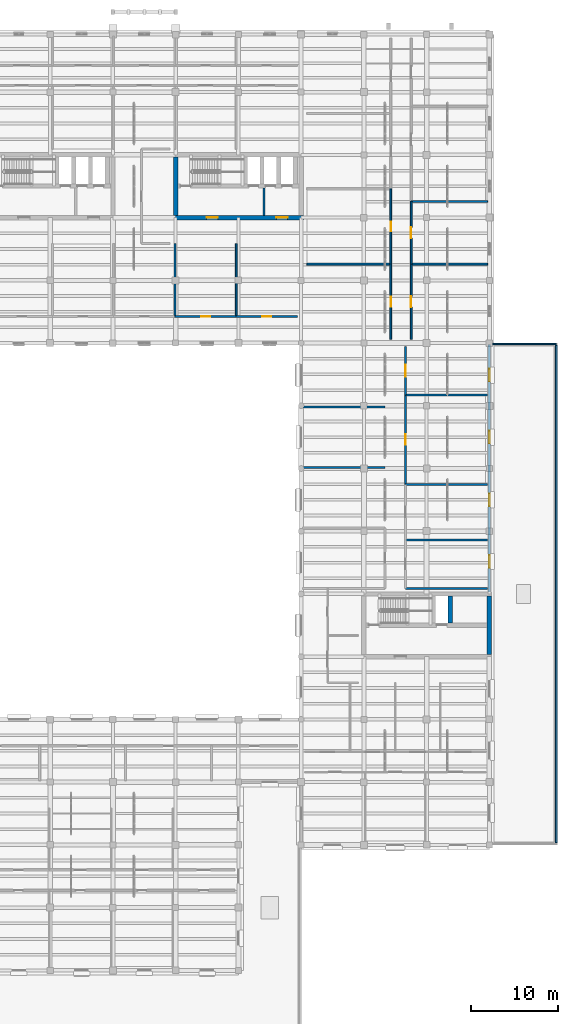
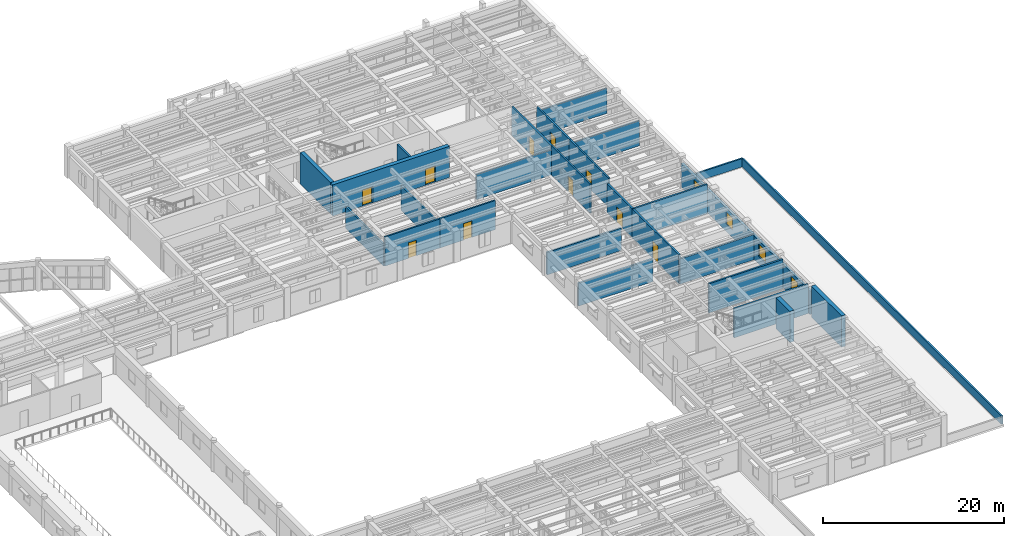
# One storey, part 61 of 76: 27 walls, 10 doors, 4 windows, 14 openings.
"""IFC4 building model written with IfcOpenShell, lengths in metres."""

from ifc_helpers import new_model, si_unit, direction, frame, frame_2d, origin, place, context, subcontext, project, spatial, rectangle, extrude, material, layer, layer_set, type_object, element, fill, save


model = new_model("IFC4")

# Units and contexts
model_context = context("Model", 3, precision=1e-05, world=origin(), true_north=direction((0.0, 1.0)))
body_context = subcontext(model_context, "Body", "Model", "MODEL_VIEW")
ifc_project = project(units=[si_unit("LENGTHUNIT", "METRE"), si_unit("AREAUNIT", "SQUARE_METRE"), si_unit("VOLUMEUNIT", "CUBIC_METRE"), si_unit("PLANEANGLEUNIT", "RADIAN"), si_unit("MASSUNIT", "GRAM", prefix="KILO")], contexts=[model_context])

# Site, building, storey
site_placement = place(None, origin())
site = spatial("IfcSite", under=ifc_project, at=site_placement, CompositionType="ELEMENT")
building_placement = place(site_placement, origin())
building = spatial("IfcBuilding", under=site, at=building_placement, Name="Mithqara Police Headquarters", CompositionType="ELEMENT")
storey_placement = place(building_placement, frame((0.0, 0.0, 5.39990234375)))
storey = spatial("IfcBuildingStorey", under=building, at=storey_placement, Name="L01", CompositionType="ELEMENT", Elevation=5.39990234375)

# Wall
ifc_material_1 = material(Name="Concrete C40/50", Category="concrete")
ifc_layer_1 = layer(ifc_material_1, 0.239990234375, Name="Concrete C40/50")
ifc_layer_set_1 = layer_set([ifc_layer_1], Name="Concrete C40/50")
wall_type_1 = type_object("IfcWallType", Name="CORE LOBBY WALL 240", PredefinedType="SOLIDWALL", material=ifc_layer_set_1)
wall_1_placement = place(storey_placement, frame((140.330078125, 93.25, 0.0), z_axis=(0.0, 0.0, 1.0), x_axis=(0.0, 1.0, 0.0)))
element("IfcWall", 1, at=wall_1_placement, inside=storey, type_object=wall_type_1, Name="Core C2 Command East Firefighting Lobby Separation Wall L01", PredefinedType="SOLIDWALL", context=body_context, shape_type="SweptSolid", body=[
    extrude(rectangle(XDim=3.1201171875, YDim=0.239990234375, at=frame_2d((1.56005859375, 0.0))), origin(), (0.0, 0.0, 1.0), 3.89013671875),
])

# Wall, openings, windows
ifc_material_2 = material(Name="Ochre masonry cavity wall, 35 MPa", Category="masonry")
ifc_layer_2 = layer(ifc_material_2, 0.300048828125, Name="Ochre masonry cavity wall, 35 MPa")
ifc_layer_set_2 = layer_set([ifc_layer_2], Name="Ochre masonry cavity wall, 35 MPa")
wall_type_2 = type_object("IfcWallType", Name="EXT WALL OCHRE BRICK300", PredefinedType="SOLIDWALL", material=ifc_layer_set_2)
wall_2_placement = place(storey_placement, frame((166.199951171875, 50.050048828125, 0.0), z_axis=(0.0, 0.0, 1.0), x_axis=(0.0, 1.0, 0.0)))
wall_2 = element("IfcWall", 2, at=wall_2_placement, inside=storey, type_object=wall_type_2, Name="L01 Exterior Wall 7.2", PredefinedType="SOLIDWALL", context=body_context, shape_type="SweptSolid", body=[
    extrude(rectangle(XDim=28.39990234375, YDim=0.300048828125, at=frame_2d((14.199951171875, 0.0))), origin(), (0.0, 0.0, 1.0), 3.170166015625),
])
opening_1_placement = place(wall_2_placement, frame((2.75, 0.0, 1.0)))
opening_1 = element("IfcOpeningElement", 3, at=opening_1_placement, cuts=wall_2, Name="Opening W-22", PredefinedType="OPENING", context=body_context, shape_type="SweptSolid", body=[
    extrude(rectangle(XDim=1.449951171875, YDim=1.64990234375, at=frame_2d((0.72509765625, 0.824951171875))), frame((0.0, 0.16015625, 0.0), z_axis=(0.0, -1.0, 0.0), x_axis=(1.0, 0.0, 0.0)), (0.0, 0.0, 1.0), 0.320068359375),
])
opening_2_placement = place(wall_2_placement, frame((9.824951171875, 0.0, 1.0)))
opening_2 = element("IfcOpeningElement", 4, at=opening_2_placement, cuts=wall_2, Name="Opening W-22", PredefinedType="OPENING", context=body_context, shape_type="SweptSolid", body=[
    extrude(rectangle(XDim=1.449951171875, YDim=1.64990234375, at=frame_2d((0.72509765625, 0.824951171875))), frame((0.0, 0.16015625, 0.0), z_axis=(0.0, -1.0, 0.0), x_axis=(1.0, 0.0, 0.0)), (0.0, 0.0, 1.0), 0.320068359375),
])
opening_3_placement = place(wall_2_placement, frame((17.02490234375, 0.0, 1.0)))
opening_3 = element("IfcOpeningElement", 5, at=opening_3_placement, cuts=wall_2, Name="Opening W-22", PredefinedType="OPENING", context=body_context, shape_type="SweptSolid", body=[
    extrude(rectangle(XDim=1.449951171875, YDim=1.64990234375, at=frame_2d((0.72509765625, 0.824951171875))), frame((0.0, 0.16015625, 0.0), z_axis=(0.0, -1.0, 0.0), x_axis=(1.0, 0.0, 0.0)), (0.0, 0.0, 1.0), 0.320068359375),
])
opening_4_placement = place(wall_2_placement, frame((24.14990234375, 0.0, 1.0)))
opening_4 = element("IfcOpeningElement", 6, at=opening_4_placement, cuts=wall_2, Name="Opening W-22", PredefinedType="OPENING", context=body_context, shape_type="SweptSolid", body=[
    extrude(rectangle(XDim=1.449951171875, YDim=1.64990234375, at=frame_2d((0.72509765625, 0.824951171875))), frame((0.0, 0.16015625, 0.0), z_axis=(0.0, -1.0, 0.0), x_axis=(1.0, 0.0, 0.0)), (0.0, 0.0, 1.0), 0.320068359375),
])
ifc_material_3 = material(Name="Spectrally selective double low-e glass", Category="glass")
window_type = type_object("IfcWindowType", Name="WINDOW 1450X1650", PartitioningType="SINGLE_PANEL", PredefinedType="WINDOW", material=ifc_material_3)
window_1_placement = place(opening_1_placement, origin())
window_1 = element("IfcWindow", 7, at=window_1_placement, inside=storey, type_object=window_type, Name="L01 Deep-Set Punched Window 7.1", OverallHeight=1.64990234375, OverallWidth=1.449951171875, PartitioningType="SINGLE_PANEL", PredefinedType="WINDOW", context=body_context, shape_type="SweptSolid", body=[
    extrude(rectangle(XDim=1.449951171875, YDim=1.64990234375, at=frame_2d((0.72509765625, 0.824951171875))), frame((0.0, 0.030029296875, 0.0), z_axis=(0.0, -1.0, 0.0), x_axis=(1.0, 0.0, 0.0)), (0.0, 0.0, 1.0), 0.06005859375),
])
fill(opening_1, window_1)
window_2_placement = place(opening_2_placement, origin())
window_2 = element("IfcWindow", 8, at=window_2_placement, inside=storey, type_object=window_type, Name="L01 Deep-Set Punched Window 7.2", OverallHeight=1.64990234375, OverallWidth=1.449951171875, PartitioningType="SINGLE_PANEL", PredefinedType="WINDOW", context=body_context, shape_type="SweptSolid", body=[
    extrude(rectangle(XDim=1.449951171875, YDim=1.64990234375, at=frame_2d((0.72509765625, 0.824951171875))), frame((0.0, 0.030029296875, 0.0), z_axis=(0.0, -1.0, 0.0), x_axis=(1.0, 0.0, 0.0)), (0.0, 0.0, 1.0), 0.06005859375),
])
fill(opening_2, window_2)
window_3_placement = place(opening_3_placement, origin())
window_3 = element("IfcWindow", 9, at=window_3_placement, inside=storey, type_object=window_type, Name="L01 Deep-Set Punched Window 7.3", OverallHeight=1.64990234375, OverallWidth=1.449951171875, PartitioningType="SINGLE_PANEL", PredefinedType="WINDOW", context=body_context, shape_type="SweptSolid", body=[
    extrude(rectangle(XDim=1.449951171875, YDim=1.64990234375, at=frame_2d((0.72509765625, 0.824951171875))), frame((0.0, 0.030029296875, 0.0), z_axis=(0.0, -1.0, 0.0), x_axis=(1.0, 0.0, 0.0)), (0.0, 0.0, 1.0), 0.06005859375),
])
fill(opening_3, window_3)
window_4_placement = place(opening_4_placement, origin())
window_4 = element("IfcWindow", 10, at=window_4_placement, inside=storey, type_object=window_type, Name="L01 Deep-Set Punched Window 7.4", OverallHeight=1.64990234375, OverallWidth=1.449951171875, PartitioningType="SINGLE_PANEL", PredefinedType="WINDOW", context=body_context, shape_type="SweptSolid", body=[
    extrude(rectangle(XDim=1.449951171875, YDim=1.64990234375, at=frame_2d((0.72509765625, 0.824951171875))), frame((0.0, 0.030029296875, 0.0), z_axis=(0.0, -1.0, 0.0), x_axis=(1.0, 0.0, 0.0)), (0.0, 0.0, 1.0), 0.06005859375),
])
fill(opening_4, window_4)

# Walls
ifc_material_4 = material(Name="Limestone ashlar masonry, 45 MPa", Category="masonry")
ifc_layer_3 = layer(ifc_material_4, 0.199951171875, Name="Limestone ashlar masonry, 45 MPa")
ifc_layer_set_3 = layer_set([ifc_layer_3], Name="Limestone ashlar masonry, 45 MPa")
wall_type_3 = type_object("IfcWallType", Name="PARAPET WALL 200", PredefinedType="PARAPET", material=ifc_layer_set_3)
wall_3_placement = place(storey_placement, frame((166.419921875, 78.489990234375, 0.0), z_axis=(0.0, 0.0, 1.0), x_axis=(1.0, 0.0, 0.0)))
element("IfcWall", 11, at=wall_3_placement, inside=storey, type_object=wall_type_3, Name="L01 Limestone Roof Parapet ROOF-L00-02-4", PredefinedType="PARAPET", context=body_context, shape_type="SweptSolid", body=[
    extrude(rectangle(XDim=7.469970703125, YDim=0.199951171875, at=frame_2d((3.73486328125, 0.0))), origin(), (0.0, 0.0, 1.0), 1.1201171875),
])
ifc_layer_4 = layer(ifc_material_4, 0.219970703125, Name="Limestone ashlar masonry, 45 MPa")
ifc_layer_set_4 = layer_set([ifc_layer_4], Name="Limestone ashlar masonry, 45 MPa")
wall_type_4 = type_object("IfcWallType", Name="PARAPET WALL 220", PredefinedType="PARAPET", material=ifc_layer_set_4)
wall_4_placement = place(storey_placement, frame((173.889892578125, 78.3701171875, 0.0), z_axis=(0.0, 0.0, 1.0), x_axis=(0.0, -1.0, 0.0)))
element("IfcWall", 12, at=wall_4_placement, inside=storey, type_object=wall_type_4, Name="L01 Limestone Roof Parapet ROOF-L00-02-1", PredefinedType="PARAPET", context=body_context, shape_type="SweptSolid", body=[
    extrude(rectangle(XDim=57.14013671875, YDim=0.219970703125, at=frame_2d((28.570068359375, 0.0))), origin(), (0.0, 0.0, 1.0), 1.1201171875),
])
ifc_layer_5 = layer(ifc_material_1, 0.2099609375, Name="Concrete C40/50")
ifc_layer_set_5 = layer_set([ifc_layer_5], Name="Concrete C40/50")
wall_type_5 = type_object("IfcWallType", Name="PART WALL 210", PredefinedType="PARTITIONING", material=ifc_layer_set_5)
wall_5_placement = place(storey_placement, frame((130.115966796875, 81.639892578125, 0.0), z_axis=(0.0, 0.0, 1.0), x_axis=(0.0, 1.0, 0.0)))
element("IfcWall", 13, at=wall_5_placement, inside=storey, type_object=wall_type_5, Name="L01 Room Partition Briefing Room", PredefinedType="PARTITIONING", context=body_context, shape_type="SweptSolid", body=[
    extrude(rectangle(XDim=8.360107421875, YDim=0.2099609375, at=frame_2d((4.18017578125, 0.0))), origin(), (0.0, 0.0, 1.0), 2.920166015625),
])

# Wall, opening, door
wall_6_placement = place(storey_placement, frame((130.115966796875, 81.639892578125, 0.0), z_axis=(0.0, 0.0, 1.0), x_axis=(1.0, 0.0, 0.0)))
wall_6 = element("IfcWall", 14, at=wall_6_placement, inside=storey, type_object=wall_type_5, Name="L01 Corridor Wall Duty Sergeant Office", PredefinedType="PARTITIONING", context=body_context, shape_type="SweptSolid", body=[
    extrude(rectangle(XDim=7.031982421875, YDim=0.2099609375, at=frame_2d((3.51611328125, 0.0))), origin(), (0.0, 0.0, 1.0), 3.920166015625),
])
opening_5_placement = place(wall_6_placement, frame((2.99609375, 0.0, 0.0)))
opening_5 = element("IfcOpeningElement", 15, at=opening_5_placement, cuts=wall_6, Name="Opening D-07", PredefinedType="OPENING", context=body_context, shape_type="SweptSolid", body=[
    extrude(rectangle(XDim=1.0400390625, YDim=2.10009765625, at=frame_2d((0.52001953125, 1.050048828125))), frame((0.0, 0.114990234375, 0.0), z_axis=(0.0, -1.0, 0.0), x_axis=(1.0, 0.0, 0.0)), (0.0, 0.0, 1.0), 0.22998046875),
])
ifc_material_5 = material(Name="Acoustic solid-core timber leaf", Category="wood")
door_type_1 = type_object("IfcDoorType", Name="INT DOOR 1040X2100", OperationType="NOTDEFINED", PredefinedType="DOOR", material=ifc_material_5)
door_1_placement = place(opening_5_placement, origin())
door_1 = element("IfcDoor", 16, at=door_1_placement, inside=storey, type_object=door_type_1, Name="Duty Sergeant Office Entry Door", OperationType="SINGLE_SWING_RIGHT", OverallHeight=2.10009765625, OverallWidth=1.0400390625, PredefinedType="DOOR", context=body_context, shape_type="SweptSolid", body=[
    extrude(rectangle(XDim=1.0400390625, YDim=2.10009765625, at=frame_2d((0.52001953125, 1.050048828125))), frame((0.0, 0.02490234375, 0.0), z_axis=(0.0, -1.0, 0.0), x_axis=(1.0, 0.0, 0.0)), (0.0, 0.0, 1.0), 0.050048828125),
])
fill(opening_5, door_1)

# Wall
wall_7_placement = place(storey_placement, frame((137.14794921875, 81.639892578125, 0.0), z_axis=(0.0, 0.0, 1.0), x_axis=(0.0, 1.0, 0.0)))
element("IfcWall", 17, at=wall_7_placement, inside=storey, type_object=wall_type_5, Name="L01 Room Partition Duty Sergeant Office", PredefinedType="PARTITIONING", context=body_context, shape_type="SweptSolid", body=[
    extrude(rectangle(XDim=8.360107421875, YDim=0.2099609375, at=frame_2d((4.18017578125, 0.0))), origin(), (0.0, 0.0, 1.0), 3.320068359375),
])

# Wall, opening, door
wall_8_placement = place(storey_placement, frame((137.14794921875, 81.639892578125, 0.0), z_axis=(0.0, 0.0, 1.0), x_axis=(1.0, 0.0, 0.0)))
wall_8 = element("IfcWall", 18, at=wall_8_placement, inside=storey, type_object=wall_type_5, Name="L01 Corridor Wall Traffic Patrol Operations Room", PredefinedType="PARTITIONING", context=body_context, shape_type="SweptSolid", body=[
    extrude(rectangle(XDim=7.031982421875, YDim=0.2099609375, at=frame_2d((3.51611328125, 0.0))), origin(), (0.0, 0.0, 1.0), 3.920166015625),
])
opening_6_placement = place(wall_8_placement, frame((2.99609375, 0.0, 0.0)))
opening_6 = element("IfcOpeningElement", 19, at=opening_6_placement, cuts=wall_8, Name="Opening D-08", PredefinedType="OPENING", context=body_context, shape_type="SweptSolid", body=[
    extrude(rectangle(XDim=1.0400390625, YDim=2.219970703125, at=frame_2d((0.52001953125, 1.10986328125))), frame((0.0, 0.114990234375, 0.0), z_axis=(0.0, -1.0, 0.0), x_axis=(1.0, 0.0, 0.0)), (0.0, 0.0, 1.0), 0.22998046875),
])
door_type_2 = type_object("IfcDoorType", Name="INT DOOR 1040X2220", OperationType="NOTDEFINED", PredefinedType="DOOR", material=ifc_material_5)
door_2_placement = place(opening_6_placement, origin())
door_2 = element("IfcDoor", 20, at=door_2_placement, inside=storey, type_object=door_type_2, Name="Traffic Patrol Operations Room Entry Door", OperationType="SINGLE_SWING_LEFT", OverallHeight=2.219970703125, OverallWidth=1.0400390625, PredefinedType="DOOR", context=body_context, shape_type="SweptSolid", body=[
    extrude(rectangle(XDim=1.0400390625, YDim=2.219970703125, at=frame_2d((0.52001953125, 1.10986328125))), frame((0.0, 0.02490234375, 0.0), z_axis=(0.0, -1.0, 0.0), x_axis=(1.0, 0.0, 0.0)), (0.0, 0.0, 1.0), 0.050048828125),
])
fill(opening_6, door_2)

wall_9_placement = place(storey_placement, frame((154.89501953125, 79.02001953125, 0.0), z_axis=(0.0, 0.0, 1.0), x_axis=(0.0, 1.0, 0.0)))
wall_9 = element("IfcWall", 21, at=wall_9_placement, inside=storey, type_object=wall_type_5, Name="L01 Corridor Wall Sector Radio Coordination Room", PredefinedType="PARTITIONING", context=body_context, shape_type="SweptSolid", body=[
    extrude(rectangle(XDim=8.639892578125, YDim=0.2099609375, at=frame_2d((4.31982421875, 0.0))), origin(), (0.0, 0.0, 1.0), 3.920166015625),
])
opening_7_placement = place(wall_9_placement, frame((3.77001953125, 0.0, 0.0)))
opening_7 = element("IfcOpeningElement", 22, at=opening_7_placement, cuts=wall_9, Name="Opening D-10", PredefinedType="OPENING", context=body_context, shape_type="SweptSolid", body=[
    extrude(rectangle(XDim=1.10009765625, YDim=2.10009765625, at=frame_2d((0.550048828125, 1.050048828125))), frame((0.0, 0.114990234375, 0.0), z_axis=(0.0, -1.0, 0.0), x_axis=(1.0, 0.0, 0.0)), (0.0, 0.0, 1.0), 0.22998046875),
])
door_type_3 = type_object("IfcDoorType", Name="INT DOOR 1100X2100", OperationType="NOTDEFINED", PredefinedType="DOOR", material=ifc_material_5)
door_3_placement = place(opening_7_placement, frame((1.10009765625, 0.0, 0.0), z_axis=(0.0, 0.0, 1.0), x_axis=(-1.0, 0.0, 0.0)))
door_3 = element("IfcDoor", 23, at=door_3_placement, inside=storey, type_object=door_type_3, Name="Sector Radio Coordination Room Entry Door", OperationType="SINGLE_SWING_LEFT", OverallHeight=2.10009765625, OverallWidth=1.10009765625, PredefinedType="DOOR", context=body_context, shape_type="SweptSolid", body=[
    extrude(rectangle(XDim=1.10009765625, YDim=2.10009765625, at=frame_2d((0.550048828125, 1.050048828125))), frame((0.0, 0.02490234375, 0.0), z_axis=(0.0, -1.0, 0.0), x_axis=(1.0, 0.0, 0.0)), (0.0, 0.0, 1.0), 0.050048828125),
])
fill(opening_7, door_3)

# Wall
wall_10_placement = place(storey_placement, frame((145.25, 87.659912109375, 0.0), z_axis=(0.0, 0.0, 1.0), x_axis=(1.0, 0.0, 0.0)))
element("IfcWall", 24, at=wall_10_placement, inside=storey, type_object=wall_type_5, Name="L01 Room Partition Sector Radio Coordination Room", PredefinedType="PARTITIONING", context=body_context, shape_type="SweptSolid", body=[
    extrude(rectangle(XDim=9.64501953125, YDim=0.2099609375, at=frame_2d((4.822509765625, 0.0))), origin(), (0.0, 0.0, 1.0), 3.3701171875),
])

# Wall, opening, door
wall_11_placement = place(storey_placement, frame((154.89501953125, 87.659912109375, 0.0), z_axis=(0.0, 0.0, 1.0), x_axis=(0.0, 1.0, 0.0)))
wall_11 = element("IfcWall", 25, at=wall_11_placement, inside=storey, type_object=wall_type_5, Name="L01 Corridor Wall Patrol Supervisors' Office", PredefinedType="PARTITIONING", context=body_context, shape_type="SweptSolid", body=[
    extrude(rectangle(XDim=8.64013671875, YDim=0.2099609375, at=frame_2d((4.320068359375, 0.0))), origin(), (0.0, 0.0, 1.0), 3.920166015625),
])
opening_8_placement = place(wall_11_placement, frame((3.77001953125, 0.0, 0.0)))
opening_8 = element("IfcOpeningElement", 26, at=opening_8_placement, cuts=wall_11, Name="Opening D-11", PredefinedType="OPENING", context=body_context, shape_type="SweptSolid", body=[
    extrude(rectangle(XDim=1.10009765625, YDim=2.219970703125, at=frame_2d((0.550048828125, 1.10986328125))), frame((0.0, 0.114990234375, 0.0), z_axis=(0.0, -1.0, 0.0), x_axis=(1.0, 0.0, 0.0)), (0.0, 0.0, 1.0), 0.22998046875),
])
door_type_4 = type_object("IfcDoorType", Name="INT DOOR 1100X2220", OperationType="NOTDEFINED", PredefinedType="DOOR", material=ifc_material_5)
door_4_placement = place(opening_8_placement, frame((1.10009765625, 0.0, 0.0), z_axis=(0.0, 0.0, 1.0), x_axis=(-1.0, 0.0, 0.0)))
door_4 = element("IfcDoor", 27, at=door_4_placement, inside=storey, type_object=door_type_4, Name="Patrol Supervisors' Office Entry Door", OperationType="SINGLE_SWING_RIGHT", OverallHeight=2.219970703125, OverallWidth=1.10009765625, PredefinedType="DOOR", context=body_context, shape_type="SweptSolid", body=[
    extrude(rectangle(XDim=1.10009765625, YDim=2.219970703125, at=frame_2d((0.550048828125, 1.10986328125))), frame((0.0, 0.02490234375, 0.0), z_axis=(0.0, -1.0, 0.0), x_axis=(1.0, 0.0, 0.0)), (0.0, 0.0, 1.0), 0.050048828125),
])
fill(opening_8, door_4)

wall_12_placement = place(storey_placement, frame((157.235107421875, 79.02001953125, 0.0), z_axis=(0.0, 0.0, 1.0), x_axis=(0.0, 1.0, 0.0)))
wall_12 = element("IfcWall", 28, at=wall_12_placement, inside=storey, type_object=wall_type_5, Name="L01 Corridor Wall Sector Radio Coordination Room", PredefinedType="PARTITIONING", context=body_context, shape_type="SweptSolid", body=[
    extrude(rectangle(XDim=8.639892578125, YDim=0.2099609375, at=frame_2d((4.31982421875, 0.0))), origin(), (0.0, 0.0, 1.0), 3.920166015625),
])
opening_9_placement = place(wall_12_placement, frame((3.7099609375, 0.0, 0.0)))
opening_9 = element("IfcOpeningElement", 29, at=opening_9_placement, cuts=wall_12, Name="Opening D-14", PredefinedType="OPENING", context=body_context, shape_type="SweptSolid", body=[
    extrude(rectangle(XDim=1.219970703125, YDim=2.219970703125, at=frame_2d((0.60986328125, 1.10986328125))), frame((0.0, 0.114990234375, 0.0), z_axis=(0.0, -1.0, 0.0), x_axis=(1.0, 0.0, 0.0)), (0.0, 0.0, 1.0), 0.22998046875),
])
door_type_5 = type_object("IfcDoorType", Name="INT DOOR 1220X2220", OperationType="NOTDEFINED", PredefinedType="DOOR", material=ifc_material_5)
door_5_placement = place(opening_9_placement, origin())
door_5 = element("IfcDoor", 30, at=door_5_placement, inside=storey, type_object=door_type_5, Name="Sector Radio Coordination Room Entry Door", OperationType="SINGLE_SWING_LEFT", OverallHeight=2.219970703125, OverallWidth=1.219970703125, PredefinedType="DOOR", context=body_context, shape_type="SweptSolid", body=[
    extrude(rectangle(XDim=1.219970703125, YDim=2.219970703125, at=frame_2d((0.60986328125, 1.10986328125))), frame((0.0, 0.02490234375, 0.0), z_axis=(0.0, -1.0, 0.0), x_axis=(1.0, 0.0, 0.0)), (0.0, 0.0, 1.0), 0.050048828125),
])
fill(opening_9, door_5)

# Wall
wall_13_placement = place(storey_placement, frame((157.235107421875, 87.659912109375, 0.0), z_axis=(0.0, 0.0, 1.0), x_axis=(1.0, 0.0, 0.0)))
element("IfcWall", 31, at=wall_13_placement, inside=storey, type_object=wall_type_5, Name="L01 Room Partition Sector Radio Coordination Room", PredefinedType="PARTITIONING", context=body_context, shape_type="SweptSolid", body=[
    extrude(rectangle(XDim=8.784912109375, YDim=0.2099609375, at=frame_2d((4.392578125, 0.0))), origin(), (0.0, 0.0, 1.0), 3.3701171875),
])

# Wall, opening, door
wall_14_placement = place(storey_placement, frame((157.235107421875, 87.659912109375, 0.0), z_axis=(0.0, 0.0, 1.0), x_axis=(0.0, 1.0, 0.0)))
wall_14 = element("IfcWall", 32, at=wall_14_placement, inside=storey, type_object=wall_type_5, Name="L01 Corridor Wall Sector Radio Coordination Room", PredefinedType="PARTITIONING", context=body_context, shape_type="SweptSolid", body=[
    extrude(rectangle(XDim=7.190185546875, YDim=0.2099609375, at=frame_2d((3.59521484375, 0.0))), origin(), (0.0, 0.0, 1.0), 3.920166015625),
])
opening_10_placement = place(wall_14_placement, frame((2.985107421875, 0.0, 0.0)))
opening_10 = element("IfcOpeningElement", 33, at=opening_10_placement, cuts=wall_14, Name="Opening D-15", PredefinedType="OPENING", context=body_context, shape_type="SweptSolid", body=[
    extrude(rectangle(XDim=1.219970703125, YDim=2.35009765625, at=frame_2d((0.60986328125, 1.175048828125))), frame((0.0, 0.114990234375, 0.0), z_axis=(0.0, -1.0, 0.0), x_axis=(1.0, 0.0, 0.0)), (0.0, 0.0, 1.0), 0.22998046875),
])
door_type_6 = type_object("IfcDoorType", Name="INT DOOR 1220X2350", OperationType="NOTDEFINED", PredefinedType="DOOR", material=ifc_material_5)
door_6_placement = place(opening_10_placement, origin())
door_6 = element("IfcDoor", 34, at=door_6_placement, inside=storey, type_object=door_type_6, Name="Sector Radio Coordination Room Entry Door", OperationType="SINGLE_SWING_RIGHT", OverallHeight=2.35009765625, OverallWidth=1.219970703125, PredefinedType="DOOR", context=body_context, shape_type="SweptSolid", body=[
    extrude(rectangle(XDim=1.219970703125, YDim=2.35009765625, at=frame_2d((0.60986328125, 1.175048828125))), frame((0.0, 0.02490234375, 0.0), z_axis=(0.0, -1.0, 0.0), x_axis=(1.0, 0.0, 0.0)), (0.0, 0.0, 1.0), 0.050048828125),
])
fill(opening_10, door_6)

# Walls
wall_15_placement = place(storey_placement, frame((157.235107421875, 94.85009765625, 0.0), z_axis=(0.0, 0.0, 1.0), x_axis=(1.0, 0.0, 0.0)))
element("IfcWall", 35, at=wall_15_placement, inside=storey, type_object=wall_type_5, Name="L01 Room Partition Sector Radio Coordination Room", PredefinedType="PARTITIONING", context=body_context, shape_type="SweptSolid", body=[
    extrude(rectangle(XDim=8.784912109375, YDim=0.2099609375, at=frame_2d((4.392578125, 0.0))), origin(), (0.0, 0.0, 1.0), 3.3701171875),
])
ifc_layer_6 = layer(ifc_material_1, 0.22998046875, Name="Concrete C40/50")
ifc_layer_set_6 = layer_set([ifc_layer_6], Name="Concrete C40/50")
wall_type_6 = type_object("IfcWallType", Name="PART WALL 230", PredefinedType="PARTITIONING", material=ifc_layer_set_6)
wall_16_placement = place(storey_placement, frame((144.780029296875, 64.31494140625, 0.0), z_axis=(0.0, 0.0, 1.0), x_axis=(1.0, 0.0, 0.0)))
element("IfcWall", 36, at=wall_16_placement, inside=storey, type_object=wall_type_6, Name="L01 Room Partition Latent Prints Laboratory", PredefinedType="PARTITIONING", context=body_context, shape_type="SweptSolid", body=[
    extrude(rectangle(XDim=9.449951171875, YDim=0.22998046875, at=frame_2d((4.72509765625, 0.0))), origin(), (0.0, 0.0, 1.0), 3.070068359375),
])
wall_17_placement = place(storey_placement, frame((144.780029296875, 71.248046875, 0.0), z_axis=(0.0, 0.0, 1.0), x_axis=(1.0, 0.0, 0.0)))
element("IfcWall", 37, at=wall_17_placement, inside=storey, type_object=wall_type_6, Name="L01 Room Partition Questioned Documents Laboratory", PredefinedType="PARTITIONING", context=body_context, shape_type="SweptSolid", body=[
    extrude(rectangle(XDim=9.449951171875, YDim=0.22998046875, at=frame_2d((4.72509765625, 0.0))), origin(), (0.0, 0.0, 1.0), 3.02001953125),
])
for number, where, z_axis, x_axis, name in (
    (38, (156.570068359375, 50.449951171875, 0.0), (0.0, 0.0, 1.0), (1.0, 0.0, 0.0), "L01 Partition End Closure E0"),
    (39, (156.570068359375, 55.99609375, 0.0), (0.0, 0.0, 1.0), (1.0, 0.0, 0.0), "L01 Room Partition Forensic Laboratory"),
):
    element("IfcWall", number, at=place(storey_placement, frame(where, z_axis=z_axis, x_axis=x_axis)), inside=storey, type_object=wall_type_6, Name=name, PredefinedType="PARTITIONING", context=body_context, shape_type="SweptSolid", body=[
        extrude(rectangle(XDim=9.449951171875, YDim=0.22998046875, at=frame_2d((4.72509765625, 0.0))), origin(), (0.0, 0.0, 1.0), 3.920166015625),
    ])
wall_18_placement = place(storey_placement, frame((156.570068359375, 62.39208984375, 0.0), z_axis=(0.0, 0.0, 1.0), x_axis=(1.0, 0.0, 0.0)))
element("IfcWall", 40, at=wall_18_placement, inside=storey, type_object=wall_type_6, Name="L01 Room Partition Latent Prints Laboratory", PredefinedType="PARTITIONING", context=body_context, shape_type="SweptSolid", body=[
    extrude(rectangle(XDim=9.449951171875, YDim=0.22998046875, at=frame_2d((4.72509765625, 0.0))), origin(), (0.0, 0.0, 1.0), 3.3701171875),
])

# Wall, opening, door
wall_19_placement = place(storey_placement, frame((156.570068359375, 62.39208984375, 0.0), z_axis=(0.0, 0.0, 1.0), x_axis=(0.0, 1.0, 0.0)))
wall_19 = element("IfcWall", 41, at=wall_19_placement, inside=storey, type_object=wall_type_6, Name="L01 Corridor Wall Questioned Documents Laboratory", PredefinedType="PARTITIONING", context=body_context, shape_type="SweptSolid", body=[
    extrude(rectangle(XDim=10.241943359375, YDim=0.22998046875, at=frame_2d((5.12109375, 0.0))), origin(), (0.0, 0.0, 1.0), 3.920166015625),
])
opening_11_placement = place(wall_19_placement, frame((4.510986328125, 0.0, 0.0)))
opening_11 = element("IfcOpeningElement", 42, at=opening_11_placement, cuts=wall_19, Name="Opening D-15", PredefinedType="OPENING", context=body_context, shape_type="SweptSolid", body=[
    extrude(rectangle(XDim=1.219970703125, YDim=2.35009765625, at=frame_2d((0.60986328125, 1.175048828125))), frame((0.0, 0.125, 0.0), z_axis=(0.0, -1.0, 0.0), x_axis=(1.0, 0.0, 0.0)), (0.0, 0.0, 1.0), 0.25),
])
door_7_placement = place(opening_11_placement, origin())
door_7 = element("IfcDoor", 43, at=door_7_placement, inside=storey, type_object=door_type_6, Name="Questioned Documents Laboratory Entry Door", OperationType="SINGLE_SWING_RIGHT", OverallHeight=2.35009765625, OverallWidth=1.219970703125, PredefinedType="DOOR", context=body_context, shape_type="SweptSolid", body=[
    extrude(rectangle(XDim=1.219970703125, YDim=2.35009765625, at=frame_2d((0.60986328125, 1.175048828125))), frame((0.0, 0.02490234375, 0.0), z_axis=(0.0, -1.0, 0.0), x_axis=(1.0, 0.0, 0.0)), (0.0, 0.0, 1.0), 0.050048828125),
])
fill(opening_11, door_7)

# Wall
wall_20_placement = place(storey_placement, frame((156.570068359375, 72.634033203125, 0.0), z_axis=(0.0, 0.0, 1.0), x_axis=(1.0, 0.0, 0.0)))
element("IfcWall", 44, at=wall_20_placement, inside=storey, type_object=wall_type_6, Name="L01 Room Partition Questioned Documents Laboratory", PredefinedType="PARTITIONING", context=body_context, shape_type="SweptSolid", body=[
    extrude(rectangle(XDim=9.449951171875, YDim=0.22998046875, at=frame_2d((4.72509765625, 0.0))), origin(), (0.0, 0.0, 1.0), 3.920166015625),
])

# Wall, opening, door
wall_21_placement = place(storey_placement, frame((156.570068359375, 72.634033203125, 0.0), z_axis=(0.0, 0.0, 1.0), x_axis=(0.0, 1.0, 0.0)))
wall_21 = element("IfcWall", 45, at=wall_21_placement, inside=storey, type_object=wall_type_6, Name="L01 Corridor Wall Photography Darkroom", PredefinedType="PARTITIONING", context=body_context, shape_type="SweptSolid", body=[
    extrude(rectangle(XDim=5.5458984375, YDim=0.22998046875, at=frame_2d((2.77294921875, 0.0))), origin(), (0.0, 0.0, 1.0), 3.920166015625),
])
opening_12_placement = place(wall_21_placement, frame((2.093017578125, 0.0, 0.0)))
opening_12 = element("IfcOpeningElement", 46, at=opening_12_placement, cuts=wall_21, Name="Opening D-16", PredefinedType="OPENING", context=body_context, shape_type="SweptSolid", body=[
    extrude(rectangle(XDim=1.360107421875, YDim=2.10009765625, at=frame_2d((0.68017578125, 1.050048828125))), frame((0.0, 0.125, 0.0), z_axis=(0.0, -1.0, 0.0), x_axis=(1.0, 0.0, 0.0)), (0.0, 0.0, 1.0), 0.25),
])
ifc_material_6 = material(Name="Bronze anodised aluminium 6063-T6", Category="aluminium")
door_type_7 = type_object("IfcDoorType", Name="INT DOOR 1360X2100", OperationType="NOTDEFINED", PredefinedType="DOOR", material=ifc_material_6)
door_8_placement = place(opening_12_placement, origin())
door_8 = element("IfcDoor", 47, at=door_8_placement, inside=storey, type_object=door_type_7, Name="Photography Darkroom Entry Door", OperationType="SINGLE_SWING_LEFT", OverallHeight=2.10009765625, OverallWidth=1.360107421875, PredefinedType="DOOR", context=body_context, shape_type="SweptSolid", body=[
    extrude(rectangle(XDim=1.360107421875, YDim=2.10009765625, at=frame_2d((0.68017578125, 1.050048828125))), frame((0.0, 0.02490234375, 0.0), z_axis=(0.0, -1.0, 0.0), x_axis=(1.0, 0.0, 0.0)), (0.0, 0.0, 1.0), 0.050048828125),
])
fill(opening_12, door_8)

# Wall, openings, doors
ifc_material_7 = material(Name="Concrete C50/60", Category="concrete")
ifc_layer_7 = layer(ifc_material_7, 0.5, Name="Concrete C50/60")
ifc_layer_set_7 = layer_set([ifc_layer_7], Name="Concrete C50/60")
wall_type_7 = type_object("IfcWallType", Name="SHEAR WALL 500", PredefinedType="SHEAR", material=ifc_layer_set_7)
wall_22_placement = place(storey_placement, frame((129.949951171875, 93.0, 0.0), z_axis=(0.0, 0.0, 1.0), x_axis=(1.0, 0.0, 0.0)))
wall_22 = element("IfcWall", 48, at=wall_22_placement, inside=storey, type_object=wall_type_7, Name="Core C2 Command East Shear Wall S", PredefinedType="SHEAR", context=body_context, shape_type="SweptSolid", body=[
    extrude(rectangle(XDim=14.900146484375, YDim=0.5, at=frame_2d((7.4501953125, 0.0))), origin(), (0.0, 0.0, 1.0), 4.2001953125),
])
opening_13_placement = place(wall_22_placement, frame((3.800048828125, 0.0, 0.0)))
opening_13 = element("IfcOpeningElement", 49, at=opening_13_placement, cuts=wall_22, Name="Opening FD-02", PredefinedType="OPENING", context=body_context, shape_type="SweptSolid", body=[
    extrude(rectangle(XDim=1.300048828125, YDim=2.199951171875, at=frame_2d((0.64990234375, 1.10009765625))), frame((0.0, 0.260009765625, 0.0), z_axis=(0.0, -1.0, 0.0), x_axis=(1.0, 0.0, 0.0)), (0.0, 0.0, 1.0), 0.52001953125),
])
opening_14_placement = place(wall_22_placement, frame((11.800048828125, 0.0, 0.0)))
opening_14 = element("IfcOpeningElement", 50, at=opening_14_placement, cuts=wall_22, Name="Opening FD-02", PredefinedType="OPENING", context=body_context, shape_type="SweptSolid", body=[
    extrude(rectangle(XDim=1.300048828125, YDim=2.199951171875, at=frame_2d((0.64990234375, 1.10009765625))), frame((0.0, 0.260009765625, 0.0), z_axis=(0.0, -1.0, 0.0), x_axis=(1.0, 0.0, 0.0)), (0.0, 0.0, 1.0), 0.52001953125),
])
ifc_material_8 = material(Name="Steel S355JR", Category="steel")
door_type_8 = type_object("IfcDoorType", Name="CORE DOOR LOBBY 1300X2200", OperationType="NOTDEFINED", PredefinedType="DOOR", material=ifc_material_8)
door_9_placement = place(opening_13_placement, frame((1.300048828125, 0.0, 0.0), z_axis=(0.0, 0.0, 1.0), x_axis=(-1.0, 0.0, 0.0)))
door_9 = element("IfcDoor", 51, at=door_9_placement, inside=storey, type_object=door_type_8, Name="Core C2 Command East FF Lobby Fire Door L01", OperationType="SINGLE_SWING_LEFT", OverallHeight=2.199951171875, OverallWidth=1.300048828125, PredefinedType="DOOR", context=body_context, shape_type="SweptSolid", body=[
    extrude(rectangle(XDim=1.300048828125, YDim=2.199951171875, at=frame_2d((0.64990234375, 1.10009765625))), frame((0.0, 0.02490234375, 0.0), z_axis=(0.0, -1.0, 0.0), x_axis=(1.0, 0.0, 0.0)), (0.0, 0.0, 1.0), 0.050048828125),
])
fill(opening_13, door_9)
door_10_placement = place(opening_14_placement, frame((1.300048828125, 0.0, 0.0), z_axis=(0.0, 0.0, 1.0), x_axis=(-1.0, 0.0, 0.0)))
door_10 = element("IfcDoor", 52, at=door_10_placement, inside=storey, type_object=door_type_8, Name="Core C2 Command East PA Lobby Fire Door L01", OperationType="SINGLE_SWING_RIGHT", OverallHeight=2.199951171875, OverallWidth=1.300048828125, PredefinedType="DOOR", context=body_context, shape_type="SweptSolid", body=[
    extrude(rectangle(XDim=1.300048828125, YDim=2.199951171875, at=frame_2d((0.64990234375, 1.10009765625))), frame((0.0, 0.02490234375, 0.0), z_axis=(0.0, -1.0, 0.0), x_axis=(1.0, 0.0, 0.0)), (0.0, 0.0, 1.0), 0.050048828125),
])
fill(opening_14, door_10)

# Walls
for number, where, z_axis, x_axis, name in (
    (53, (130.199951171875, 93.260009765625, 0.0), (0.0, 0.0, 1.0), (0.0, 1.0, 0.0), "Core C2 Command East Shear Wall W"),
    (54, (166.199951171875, 42.860107421875, 0.0), (0.0, 0.0, 1.0), (0.0, 1.0, 0.0), "Core C4 Forensics East Shear Wall E"),
):
    element("IfcWall", number, at=place(storey_placement, frame(where, z_axis=z_axis, x_axis=x_axis)), inside=storey, type_object=wall_type_7, Name=name, PredefinedType="SHEAR", context=body_context, shape_type="SweptSolid", body=[
        extrude(rectangle(XDim=6.679931640625, YDim=0.5, at=frame_2d((3.33984375, 0.0))), origin(), (0.0, 0.0, 1.0), 4.2001953125),
    ])
wall_23_placement = place(storey_placement, frame((161.699951171875, 46.47998046875, 0.0), z_axis=(0.0, 0.0, 1.0), x_axis=(0.0, 1.0, 0.0)))
element("IfcWall", 55, at=wall_23_placement, inside=storey, type_object=wall_type_7, Name="Core C4 Forensics East Shear Wall L1", PredefinedType="SHEAR", context=body_context, shape_type="SweptSolid", body=[
    extrude(rectangle(XDim=3.06005859375, YDim=0.5, at=frame_2d((1.530029296875, 0.0))), origin(), (0.0, 0.0, 1.0), 4.2001953125),
])

save(model, "model.ifc")
